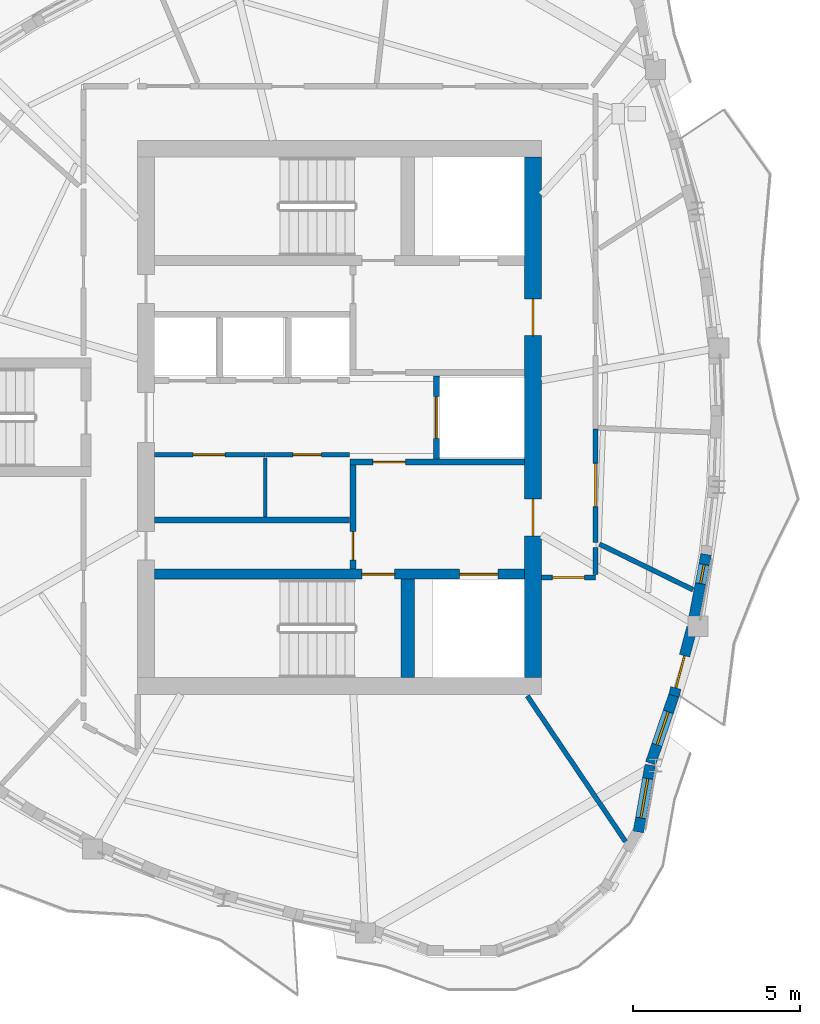
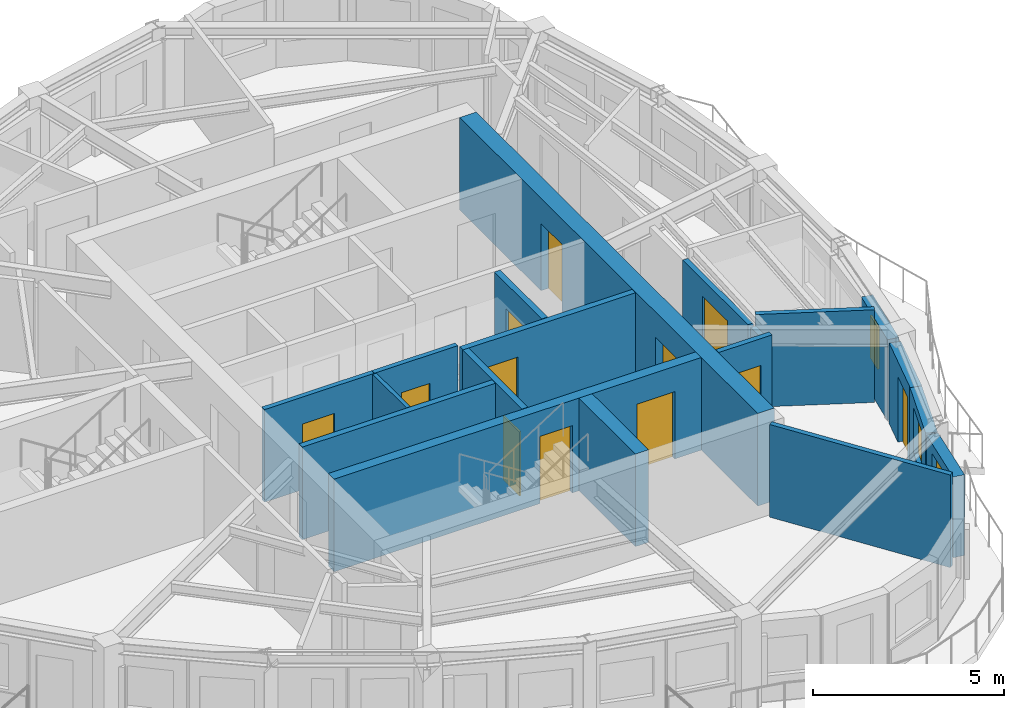
# One storey, part 4 of 12: 19 walls, 12 doors, 3 windows, 15 openings.
"""IFC4 building model written with IfcOpenShell, lengths in metres."""

from ifc_helpers import new_model, si_unit, direction, frame, frame_2d, origin, place, context, subcontext, project, spatial, rectangle, extrude, source, transform, mapped, material, layer, layer_set, type_object, element, fill, save


model = new_model("IFC4")

# Units and contexts
model_context = context("Model", 3, precision=1e-05, world=origin(), true_north=direction((0.0, 1.0)))
body_context = subcontext(model_context, "Body", "Model", "MODEL_VIEW")
ifc_project = project(units=[si_unit("LENGTHUNIT", "METRE"), si_unit("AREAUNIT", "SQUARE_METRE"), si_unit("VOLUMEUNIT", "CUBIC_METRE"), si_unit("PLANEANGLEUNIT", "RADIAN"), si_unit("MASSUNIT", "GRAM", prefix="KILO")], contexts=[model_context])

# Site, building, storey
site_placement = place(None, origin())
site = spatial("IfcSite", under=ifc_project, at=site_placement, CompositionType="ELEMENT")
building_placement = place(site_placement, origin())
building = spatial("IfcBuilding", under=site, at=building_placement, Name="Qafzar Sky-Pleat Residences", CompositionType="ELEMENT")
storey_placement = place(building_placement, frame((0.0, 0.0, 224.39990234375)))
storey = spatial("IfcBuildingStorey", under=building, at=storey_placement, Name="L67", CompositionType="ELEMENT", Elevation=224.39990234375)

# Wall, opening, door
ifc_material_1 = material(Name="Acoustic gypsum plasterboard partition", Category="gypsum")
ifc_layer_1 = layer(ifc_material_1, 0.159912109375)
ifc_layer_set_1 = layer_set([ifc_layer_1], Name="Acoustic gypsum plasterboard partition")
wall_type_1 = type_object("IfcWallType", Name="PART-COR-160", PredefinedType="PARTITIONING", material=ifc_layer_set_1)
wall_1_placement = place(storey_placement, frame((38.02001953125, 25.658935546875, 0.0), z_axis=(0.0, 0.0, 1.0), x_axis=(0.0, -1.0, 0.0)))
wall_1 = element("IfcWall", 1, at=wall_1_placement, inside=storey, type_object=wall_type_1, Name="L67 Partition Wall PART-L67-PW-006", PredefinedType="PARTITIONING", context=body_context, shape_type="SweptSolid", body=[
    extrude(rectangle(XDim=3.413818359375, YDim=0.159912109375, at=frame_2d((1.70703125, 0.0))), origin(), (0.0, 0.0, 1.0), 2.628173828125),
])
opening_1_placement = place(wall_1_placement, frame((1.033447265625, 0.0, 0.0)))
opening_1 = element("IfcOpeningElement", 2, at=opening_1_placement, cuts=wall_1, Name="Opening ID-05", PredefinedType="OPENING", context=body_context, shape_type="SweptSolid", body=[
    extrude(rectangle(XDim=1.300048828125, YDim=2.10009765625, at=frame_2d((0.64990234375, 1.050048828125))), frame((0.0, 0.08984375, 0.0), z_axis=(0.0, -1.0, 0.0), x_axis=(1.0, 0.0, 0.0)), (0.0, 0.0, 1.0), 0.179931640625),
])
ifc_material_2 = material(Name="Timber-faced fire door", Category="wood")
door_type_1 = type_object("IfcDoorType", Name="DR-LNG-1300", OperationType="DOUBLE_DOOR_SINGLE_SWING", PredefinedType="DOOR", material=ifc_material_2)
shared_shape_1 = source(origin(), body_context, "Body", "SweptSolid", [
    extrude(rectangle(XDim=1.300048828125, YDim=2.10009765625, at=frame_2d((0.64990234375, 1.050048828125))), frame((0.0, 0.02490234375, 0.0), z_axis=(0.0, -1.0, 0.0), x_axis=(1.0, 0.0, 0.0)), (0.0, 0.0, 1.0), 0.050048828125),
])
door_1_placement = place(opening_1_placement, origin())
door_1 = element("IfcDoor", 3, at=door_1_placement, inside=storey, type_object=door_type_1, Name="L67 Communal Kitchen Door", OperationType="DOUBLE_DOOR_SINGLE_SWING", OverallHeight=2.10009765625, OverallWidth=1.300048828125, PredefinedType="DOOR", context=body_context, shape_type="MappedRepresentation", body=[
    mapped(shared_shape_1, transform((0.0, 0.0, 0.0), x_axis=(1.0, 0.0, 0.0), y_axis=(0.0, 1.0, 0.0), z_axis=(0.0, 0.0, 1.0), scale=1.0)),
])
fill(opening_1, door_1)

wall_2_placement = place(storey_placement, frame((38.02001953125, 21.199951171875, 0.0), z_axis=(0.0, 0.0, 1.0), x_axis=(-1.0, 0.0, 0.0)))
wall_2 = element("IfcWall", 4, at=wall_2_placement, inside=storey, type_object=wall_type_1, Name="L67 Partition Wall PART-L67-PW-010", PredefinedType="PARTITIONING", context=body_context, shape_type="SweptSolid", body=[
    extrude(rectangle(XDim=1.612060546875, YDim=0.159912109375, at=frame_2d((0.80615234375, 0.0))), origin(), (0.0, 0.0, 1.0), 2.960205078125),
])
opening_2_placement = place(wall_2_placement, frame((0.330078125, 0.0, 0.0)))
opening_2 = element("IfcOpeningElement", 5, at=opening_2_placement, cuts=wall_2, Name="Opening ID-06", PredefinedType="OPENING", context=body_context, shape_type="SweptSolid", body=[
    extrude(rectangle(XDim=0.9599609375, YDim=2.10009765625, at=frame_2d((0.47998046875, 1.050048828125))), frame((0.0, 0.08984375, 0.0), z_axis=(0.0, -1.0, 0.0), x_axis=(1.0, 0.0, 0.0)), (0.0, 0.0, 1.0), 0.179931640625),
])
door_type_2 = type_object("IfcDoorType", Name="DR-STD-960", OperationType="NOTDEFINED", PredefinedType="DOOR", material=ifc_material_2)
shared_shape_2 = source(origin(), body_context, "Body", "SweptSolid", [
    extrude(rectangle(XDim=0.9599609375, YDim=2.10009765625, at=frame_2d((0.47998046875, 1.050048828125))), frame((0.0, 0.02490234375, 0.0), z_axis=(0.0, -1.0, 0.0), x_axis=(1.0, 0.0, 0.0)), (0.0, 0.0, 1.0), 0.050048828125),
])
door_2_placement = place(opening_2_placement, origin())
door_2 = element("IfcDoor", 6, at=door_2_placement, inside=storey, type_object=door_type_2, Name="L67 Quiet Prayer Room Door", OperationType="SINGLE_SWING_RIGHT", OverallHeight=2.10009765625, OverallWidth=0.9599609375, PredefinedType="DOOR", context=body_context, shape_type="MappedRepresentation", body=[
    mapped(shared_shape_2, transform((0.0, 0.0, 0.0), x_axis=(1.0, 0.0, 0.0), y_axis=(0.0, 1.0, 0.0), z_axis=(0.0, 0.0, 1.0), scale=1.0)),
])
fill(opening_2, door_2)

# Wall
wall_3_placement = place(storey_placement, frame((38.02001953125, 21.2880859375, 0.0), z_axis=(0.0, 0.0, 1.0), x_axis=(0.0, 1.0, 0.0)))
element("IfcWall", 7, at=wall_3_placement, inside=storey, type_object=wall_type_1, Name="L67 Partition Wall PART-L67-PW-026", PredefinedType="PARTITIONING", context=body_context, shape_type="SweptSolid", body=[
    extrude(rectangle(XDim=0.814208984375, YDim=0.159912109375, at=frame_2d((0.4072265625, 0.0))), origin(), (0.0, 0.0, 1.0), 2.628173828125),
])

# Wall, opening, door
ifc_material_3 = material(Name="Concrete blockwork partition", Category="masonry")
ifc_layer_2 = layer(ifc_material_3, 0.179931640625)
ifc_layer_set_2 = layer_set([ifc_layer_2], Name="Concrete blockwork partition")
wall_type_2 = type_object("IfcWallType", Name="PART-SHAFT-180", PredefinedType="PARTITIONING", material=ifc_layer_set_2)
wall_4_placement = place(storey_placement, frame((30.75, 21.4599609375, 0.0), z_axis=(0.0, 0.0, 1.0), x_axis=(0.0, 1.0, 0.0)))
wall_4 = element("IfcWall", 8, at=wall_4_placement, inside=storey, type_object=wall_type_2, Name="L67 Partition Wall PART-L67-FFL1-W", PredefinedType="PARTITIONING", context=body_context, shape_type="SweptSolid", body=[
    extrude(rectangle(XDim=3.110107421875, YDim=0.179931640625, at=frame_2d((1.55517578125, 0.0))), origin(), (0.0, 0.0, 1.0), 2.960205078125),
])
opening_3_placement = place(wall_4_placement, frame((0.260009765625, 0.0, 0.0)))
opening_3 = element("IfcOpeningElement", 9, at=opening_3_placement, cuts=wall_4, Name="Opening ID-09", PredefinedType="OPENING", context=body_context, shape_type="SweptSolid", body=[
    extrude(rectangle(XDim=0.860107421875, YDim=2.050048828125, at=frame_2d((0.43017578125, 1.02490234375))), frame((0.0, 0.10009765625, 0.0), z_axis=(0.0, -1.0, 0.0), x_axis=(1.0, 0.0, 0.0)), (0.0, 0.0, 1.0), 0.199951171875),
])
door_type_3 = type_object("IfcDoorType", Name="DR-SVC-860", OperationType="NOTDEFINED", PredefinedType="DOOR", material=ifc_material_2)
shared_shape_3 = source(origin(), body_context, "Body", "SweptSolid", [
    extrude(rectangle(XDim=0.860107421875, YDim=2.050048828125, at=frame_2d((0.43017578125, 1.02490234375))), frame((0.0, 0.02490234375, 0.0), z_axis=(0.0, -1.0, 0.0), x_axis=(1.0, 0.0, 0.0)), (0.0, 0.0, 1.0), 0.050048828125),
])
door_3_placement = place(opening_3_placement, origin())
door_3 = element("IfcDoor", 10, at=door_3_placement, inside=storey, type_object=door_type_3, Name="L67 South Core Cupboard Door", OperationType="SINGLE_SWING_LEFT", OverallHeight=2.050048828125, OverallWidth=0.860107421875, PredefinedType="DOOR", context=body_context, shape_type="MappedRepresentation", body=[
    mapped(shared_shape_3, transform((0.0, 0.0, 0.0), x_axis=(1.0, 0.0, 0.0), y_axis=(0.0, 1.0, 0.0), z_axis=(0.0, 0.0, 1.0), scale=1.0)),
])
fill(opening_3, door_3)

wall_5_placement = place(storey_placement, frame((30.669921875, 24.659912109375, 0.0), z_axis=(0.0, 0.0, 1.0), x_axis=(1.0, 0.0, 0.0)))
wall_5 = element("IfcWall", 11, at=wall_5_placement, inside=storey, type_object=wall_type_2, Name="L67 Partition Wall PART-L67-FFL1-N", PredefinedType="PARTITIONING", context=body_context, shape_type="SweptSolid", body=[
    extrude(rectangle(XDim=5.219970703125, YDim=0.179931640625, at=frame_2d((2.60986328125, 0.0))), origin(), (0.0, 0.0, 1.0), 2.960205078125),
])
opening_4_placement = place(wall_5_placement, frame((0.679931640625, 0.0, 0.0)))
opening_4 = element("IfcOpeningElement", 12, at=opening_4_placement, cuts=wall_5, Name="Opening ID-01", PredefinedType="OPENING", context=body_context, shape_type="SweptSolid", body=[
    extrude(rectangle(XDim=0.97998046875, YDim=2.14990234375, at=frame_2d((0.489990234375, 1.074951171875))), frame((0.0, 0.10009765625, 0.0), z_axis=(0.0, -1.0, 0.0), x_axis=(1.0, 0.0, 0.0)), (0.0, 0.0, 1.0), 0.199951171875),
])
door_type_4 = type_object("IfcDoorType", Name="DR-STAIR-980", OperationType="NOTDEFINED", PredefinedType="DOOR", material=ifc_material_2)
shared_shape_4 = source(origin(), body_context, "Body", "SweptSolid", [
    extrude(rectangle(XDim=0.97998046875, YDim=2.14990234375, at=frame_2d((0.489990234375, 1.074951171875))), frame((0.0, 0.02490234375, 0.0), z_axis=(0.0, -1.0, 0.0), x_axis=(1.0, 0.0, 0.0)), (0.0, 0.0, 1.0), 0.050048828125),
])
door_4_placement = place(opening_4_placement, origin())
door_4 = element("IfcDoor", 13, at=door_4_placement, inside=storey, type_object=door_type_4, Name="L67 Lift Lobby to South Firefighting Lobby Door", OperationType="SINGLE_SWING_RIGHT", OverallHeight=2.14990234375, OverallWidth=0.97998046875, PredefinedType="DOOR", context=body_context, shape_type="MappedRepresentation", body=[
    mapped(shared_shape_4, transform((0.0, 0.0, 0.0), x_axis=(1.0, 0.0, 0.0), y_axis=(0.0, 1.0, 0.0), z_axis=(0.0, 0.0, 1.0), scale=1.0)),
])
fill(opening_4, door_4)

wall_6_placement = place(storey_placement, frame((33.25, 24.760009765625, 0.0), z_axis=(0.0, 0.0, 1.0), x_axis=(0.0, 1.0, 0.0)))
wall_6 = element("IfcWall", 14, at=wall_6_placement, inside=storey, type_object=wall_type_2, Name="L67 Partition Wall PART-L67-SV1-W", PredefinedType="PARTITIONING", context=body_context, shape_type="SweptSolid", body=[
    extrude(rectangle(XDim=2.47998046875, YDim=0.179931640625, at=frame_2d((1.239990234375, 0.0))), origin(), (0.0, 0.0, 1.0), 2.960205078125),
])
opening_5_placement = place(wall_6_placement, frame((0.614990234375, 0.0, 0.0)))
opening_5 = element("IfcOpeningElement", 15, at=opening_5_placement, cuts=wall_6, Name="Opening LD-03", PredefinedType="OPENING", context=body_context, shape_type="SweptSolid", body=[
    extrude(rectangle(XDim=1.25, YDim=2.14990234375, at=frame_2d((0.625, 1.074951171875))), frame((0.0, 0.10009765625, 0.0), z_axis=(0.0, -1.0, 0.0), x_axis=(1.0, 0.0, 0.0)), (0.0, 0.0, 1.0), 0.199951171875),
])
ifc_material_4 = material(Name="Stainless steel sliding landing door", Category="steel")
door_type_5 = type_object("IfcDoorType", Name="DR-LIFT-SV", OperationType="DOUBLE_DOOR_SLIDING", PredefinedType="DOOR", material=ifc_material_4)
shared_shape_5 = source(origin(), body_context, "Body", "SweptSolid", [
    extrude(rectangle(XDim=1.25, YDim=2.14990234375, at=frame_2d((0.625, 1.074951171875))), frame((0.0, 0.02490234375, 0.0), z_axis=(0.0, -1.0, 0.0), x_axis=(1.0, 0.0, 0.0)), (0.0, 0.0, 1.0), 0.050048828125),
])
door_5_placement = place(opening_5_placement, origin())
door_5 = element("IfcDoor", 16, at=door_5_placement, inside=storey, type_object=door_type_5, Name="L67 Service Lift SV1 Landing Door", OperationType="DOUBLE_DOOR_SLIDING", OverallHeight=2.14990234375, OverallWidth=1.25, PredefinedType="DOOR", context=body_context, shape_type="MappedRepresentation", body=[
    mapped(shared_shape_5, transform((0.0, 0.0, 0.0), x_axis=(1.0, 0.0, 0.0), y_axis=(0.0, 1.0, 0.0), z_axis=(0.0, 0.0, 1.0), scale=1.0)),
])
fill(opening_5, door_5)

# Walls
wall_7_placement = place(storey_placement, frame((24.81005859375, 22.919921875, 0.0), z_axis=(0.0, 0.0, 1.0), x_axis=(1.0, 0.0, 0.0)))
element("IfcWall", 17, at=wall_7_placement, inside=storey, type_object=wall_type_2, Name="L67 Partition Wall PART-L67-P13-S", PredefinedType="PARTITIONING", context=body_context, shape_type="SweptSolid", body=[
    extrude(rectangle(XDim=5.83984375, YDim=0.179931640625, at=frame_2d((2.919921875, 0.0))), origin(), (0.0, 0.0, 1.0), 2.960205078125),
])
ifc_material_5 = material(Name="Gypsum plasterboard partition", Category="gypsum")
ifc_layer_3 = layer(ifc_material_5, 0.114990234375)
ifc_layer_set_3 = layer_set([ifc_layer_3], Name="Gypsum plasterboard partition")
wall_type_3 = type_object("IfcWallType", Name="PART-SVC-115", PredefinedType="PARTITIONING", material=ifc_layer_set_3)
wall_8_placement = place(storey_placement, frame((28.125, 23.02001953125, 0.0), z_axis=(0.0, 0.0, 1.0), x_axis=(0.0, 1.0, 0.0)))
element("IfcWall", 18, at=wall_8_placement, inside=storey, type_object=wall_type_3, Name="L67 Partition Wall PART-L67-RECLAIM-DIV", PredefinedType="PARTITIONING", context=body_context, shape_type="SweptSolid", body=[
    extrude(rectangle(XDim=1.77001953125, YDim=0.114990234375, at=frame_2d((0.885009765625, 0.0))), origin(), (0.0, 0.0, 1.0), 2.960205078125),
])

# Wall, opening, door
ifc_layer_4 = layer(ifc_material_1, 0.14501953125)
ifc_layer_set_4 = layer_set([ifc_layer_4], Name="Acoustic gypsum plasterboard partition")
wall_type_4 = type_object("IfcWallType", Name="PART-UNIT-145", PredefinedType="PARTITIONING", material=ifc_layer_set_4)
wall_9_placement = place(storey_placement, frame((24.81005859375, 24.8798828125, 0.0), z_axis=(0.0, 0.0, 1.0), x_axis=(1.0, 0.0, 0.0)))
wall_9 = element("IfcWall", 19, at=wall_9_placement, inside=storey, type_object=wall_type_4, Name="L67 Partition Wall PART-L67-RECLAIM-N1", PredefinedType="PARTITIONING", context=body_context, shape_type="SweptSolid", body=[
    extrude(rectangle(XDim=3.31005859375, YDim=0.14501953125, at=frame_2d((1.655029296875, 0.0))), origin(), (0.0, 0.0, 1.0), 2.960205078125),
])
opening_6_placement = place(wall_9_placement, frame((1.14990234375, 0.0, 0.0)))
opening_6 = element("IfcOpeningElement", 20, at=opening_6_placement, cuts=wall_9, Name="Opening ID-06", PredefinedType="OPENING", context=body_context, shape_type="SweptSolid", body=[
    extrude(rectangle(XDim=0.9599609375, YDim=2.10009765625, at=frame_2d((0.47998046875, 1.050048828125))), frame((0.0, 0.08251953125, 0.0), z_axis=(0.0, -1.0, 0.0), x_axis=(1.0, 0.0, 0.0)), (0.0, 0.0, 1.0), 0.1650390625),
])
door_6_placement = place(opening_6_placement, origin())
door_6 = element("IfcDoor", 21, at=door_6_placement, inside=storey, type_object=door_type_2, Name="L67 Reclaimed Quiet Study Room Door", OperationType="SINGLE_SWING_LEFT", OverallHeight=2.10009765625, OverallWidth=0.9599609375, PredefinedType="DOOR", context=body_context, shape_type="MappedRepresentation", body=[
    mapped(shared_shape_2, transform((0.0, 0.0, 0.0), x_axis=(1.0, 0.0, 0.0), y_axis=(0.0, 1.0, 0.0), z_axis=(0.0, 0.0, 1.0), scale=1.0)),
])
fill(opening_6, door_6)

wall_10_placement = place(storey_placement, frame((28.1298828125, 24.8798828125, 0.0), z_axis=(0.0, 0.0, 1.0), x_axis=(1.0, 0.0, 0.0)))
wall_10 = element("IfcWall", 22, at=wall_10_placement, inside=storey, type_object=wall_type_4, Name="L67 Partition Wall PART-L67-RECLAIM-N2", PredefinedType="PARTITIONING", context=body_context, shape_type="SweptSolid", body=[
    extrude(rectangle(XDim=2.52001953125, YDim=0.14501953125, at=frame_2d((1.260009765625, 0.0))), origin(), (0.0, 0.0, 1.0), 2.960205078125),
])
opening_7_placement = place(wall_10_placement, frame((0.820068359375, 0.0, 0.0)))
opening_7 = element("IfcOpeningElement", 23, at=opening_7_placement, cuts=wall_10, Name="Opening ID-09", PredefinedType="OPENING", context=body_context, shape_type="SweptSolid", body=[
    extrude(rectangle(XDim=0.860107421875, YDim=2.050048828125, at=frame_2d((0.43017578125, 1.02490234375))), frame((0.0, 0.08251953125, 0.0), z_axis=(0.0, -1.0, 0.0), x_axis=(1.0, 0.0, 0.0)), (0.0, 0.0, 1.0), 0.1650390625),
])
door_7_placement = place(opening_7_placement, origin())
door_7 = element("IfcDoor", 24, at=door_7_placement, inside=storey, type_object=door_type_3, Name="L67 Reclaimed Linen Cupboard Door", OperationType="SINGLE_SWING_RIGHT", OverallHeight=2.050048828125, OverallWidth=0.860107421875, PredefinedType="DOOR", context=body_context, shape_type="MappedRepresentation", body=[
    mapped(shared_shape_3, transform((0.0, 0.0, 0.0), x_axis=(1.0, 0.0, 0.0), y_axis=(0.0, 1.0, 0.0), z_axis=(0.0, 0.0, 1.0), scale=1.0)),
])
fill(opening_7, door_7)

# Walls
wall_11_placement = place(storey_placement, frame((35.978759765625, 17.65283203125, 0.0), z_axis=(0.0, 0.0, 1.0), x_axis=(0.559125350393, -0.829083133677, 0.0)))
element("IfcWall", 25, at=wall_11_placement, inside=storey, type_object=wall_type_4, Name="L67 Partition Wall PART-L67-PW-013", PredefinedType="PARTITIONING", context=body_context, shape_type="SweptSolid", body=[
    extrude(rectangle(XDim=5.26171875, YDim=0.14501953125, at=frame_2d((2.630859375, 0.0))), origin(), (0.0, 0.0, 1.0), 2.960205078125),
])
wall_12_placement = place(storey_placement, frame((38.138916015625, 22.2041015625, 0.0), z_axis=(0.0, 0.0, 1.0), x_axis=(0.898869860356, -0.43821567081, 0.0)))
element("IfcWall", 26, at=wall_12_placement, inside=storey, type_object=wall_type_4, Name="L67 Partition Wall PART-L67-PW-018", PredefinedType="PARTITIONING", context=body_context, shape_type="SweptSolid", body=[
    extrude(rectangle(XDim=3.122802734375, YDim=0.14501953125, at=frame_2d((1.5615234375, 0.0))), origin(), (0.0, 0.0, 1.0), 2.960205078125),
])

# Wall, opening, window
ifc_material_6 = material(Name="Precast concrete C40/50 with honed Riyadh limestone", Category="concrete")
ifc_layer_5 = layer(ifc_material_6, 0.320068359375)
ifc_layer_set_5 = layer_set([ifc_layer_5], Name="Precast concrete C40/50 with honed Riyadh limestone")
wall_type_5 = type_object("IfcWallType", Name="WALL-EXT-320", PredefinedType="SOLIDWALL", material=ifc_layer_set_5)
wall_13_placement = place(storey_placement, frame((39.30859375, 13.575439453125, 0.0), z_axis=(0.0, 0.0, 1.0), x_axis=(0.17370309897, 0.984798067326, 0.0)))
wall_13 = element("IfcWall", 27, at=wall_13_placement, inside=storey, type_object=wall_type_5, Name="L67 Limestone Facade Wall 22", PredefinedType="SOLIDWALL", context=body_context, shape_type="SweptSolid", body=[
    extrude(rectangle(XDim=2.032470703125, YDim=0.320068359375, at=frame_2d((1.01611328125, 0.0))), origin(), (0.0, 0.0, 1.0), 2.580078125),
])
opening_8_placement = place(wall_13_placement, frame((0.42626953125, 0.0, 0.820068359375)))
opening_8 = element("IfcOpeningElement", 28, at=opening_8_placement, cuts=wall_13, Name="Opening WN-05", PredefinedType="OPENING", context=body_context, shape_type="SweptSolid", body=[
    extrude(rectangle(XDim=1.199951171875, YDim=1.449951171875, at=frame_2d((0.60009765625, 0.72509765625))), frame((0.0, 0.169921875, 0.0), z_axis=(0.0, -1.0, 0.0), x_axis=(1.0, 0.0, 0.0)), (0.0, 0.0, 1.0), 0.340087890625),
])
ifc_material_7 = material(Name="Solar-control low-E glass in bronze aluminium frame", Category="glass")
window_type_1 = type_object("IfcWindowType", Name="WIN-05", PartitioningType="SINGLE_PANEL", PredefinedType="WINDOW", material=ifc_material_7)
shared_shape_6 = source(origin(), body_context, "Body", "SweptSolid", [
    extrude(rectangle(XDim=1.199951171875, YDim=1.449951171875, at=frame_2d((0.60009765625, 0.72509765625))), frame((0.0, 0.030029296875, 0.0), z_axis=(0.0, -1.0, 0.0), x_axis=(1.0, 0.0, 0.0)), (0.0, 0.0, 1.0), 0.06005859375),
])
window_1_placement = place(opening_8_placement, origin())
window_1 = element("IfcWindow", 29, at=window_1_placement, inside=storey, type_object=window_type_1, Name="L67 Punched Facade Window 22", OverallHeight=1.449951171875, OverallWidth=1.199951171875, PartitioningType="SINGLE_PANEL", PredefinedType="WINDOW", context=body_context, shape_type="MappedRepresentation", body=[
    mapped(shared_shape_6, transform((0.0, 0.0, 0.0), x_axis=(1.0, 0.0, 0.0), y_axis=(0.0, 1.0, 0.0), z_axis=(0.0, 0.0, 1.0), scale=1.0)),
])
fill(opening_8, window_1)

wall_14_placement = place(storey_placement, frame((39.677490234375, 15.639404296875, 0.0), z_axis=(0.0, 0.0, 1.0), x_axis=(0.323664392341, 0.946171951143, 0.0)))
wall_14 = element("IfcWall", 30, at=wall_14_placement, inside=storey, type_object=wall_type_5, Name="L67 Limestone Facade Wall 23", PredefinedType="SOLIDWALL", context=body_context, shape_type="SweptSolid", body=[
    extrude(rectangle(XDim=2.222900390625, YDim=0.320068359375, at=frame_2d((1.111328125, 0.0))), origin(), (0.0, 0.0, 1.0), 2.580078125),
])
opening_9_placement = place(wall_14_placement, frame((0.576416015625, 0.0, 0.820068359375)))
opening_9 = element("IfcOpeningElement", 31, at=opening_9_placement, cuts=wall_14, Name="Opening WN-06", PredefinedType="OPENING", context=body_context, shape_type="SweptSolid", body=[
    extrude(rectangle(XDim=1.050048828125, YDim=1.449951171875, at=frame_2d((0.52490234375, 0.72509765625))), frame((0.0, 0.169921875, 0.0), z_axis=(0.0, -1.0, 0.0), x_axis=(1.0, 0.0, 0.0)), (0.0, 0.0, 1.0), 0.340087890625),
])
window_type_2 = type_object("IfcWindowType", Name="WIN-06", PartitioningType="SINGLE_PANEL", PredefinedType="WINDOW", material=ifc_material_7)
shared_shape_7 = source(origin(), body_context, "Body", "SweptSolid", [
    extrude(rectangle(XDim=1.050048828125, YDim=1.449951171875, at=frame_2d((0.52490234375, 0.72509765625))), frame((0.0, 0.030029296875, 0.0), z_axis=(0.0, -1.0, 0.0), x_axis=(1.0, 0.0, 0.0)), (0.0, 0.0, 1.0), 0.06005859375),
])
window_2_placement = place(opening_9_placement, origin())
window_2 = element("IfcWindow", 32, at=window_2_placement, inside=storey, type_object=window_type_2, Name="L67 Punched Facade Window 23", OverallHeight=1.449951171875, OverallWidth=1.050048828125, PartitioningType="SINGLE_PANEL", PredefinedType="WINDOW", context=body_context, shape_type="MappedRepresentation", body=[
    mapped(shared_shape_7, transform((0.0, 0.0, 0.0), x_axis=(1.0, 0.0, 0.0), y_axis=(0.0, 1.0, 0.0), z_axis=(0.0, 0.0, 1.0), scale=1.0)),
])
fill(opening_9, window_2)

# Wall, opening, door
wall_15_placement = place(storey_placement, frame((40.37158203125, 17.659423828125, 0.0), z_axis=(0.0, 0.0, 1.0), x_axis=(0.2570422776, 0.966400159109, 0.0)))
wall_15 = element("IfcWall", 33, at=wall_15_placement, inside=storey, type_object=wall_type_5, Name="L67 Limestone Facade Wall 24", PredefinedType="SOLIDWALL", context=body_context, shape_type="SweptSolid", body=[
    extrude(rectangle(XDim=2.106689453125, YDim=0.320068359375, at=frame_2d((1.05322265625, 0.0))), origin(), (0.0, 0.0, 1.0), 2.580078125),
])
opening_10_placement = place(wall_15_placement, frame((0.239990234375, 0.0, 0.0)))
opening_10 = element("IfcOpeningElement", 34, at=opening_10_placement, cuts=wall_15, Name="Opening ED-05", PredefinedType="OPENING", context=body_context, shape_type="SweptSolid", body=[
    extrude(rectangle(XDim=1.0, YDim=2.10009765625, at=frame_2d((0.5, 1.050048828125))), frame((0.0, 0.169921875, 0.0), z_axis=(0.0, -1.0, 0.0), x_axis=(1.0, 0.0, 0.0)), (0.0, 0.0, 1.0), 0.340087890625),
])
ifc_material_8 = material(Name="Glazed bronze aluminium door", Category="aluminium")
door_type_6 = type_object("IfcDoorType", Name="DR-BAL-1000", OperationType="NOTDEFINED", PredefinedType="DOOR", material=ifc_material_8)
shared_shape_8 = source(origin(), body_context, "Body", "SweptSolid", [
    extrude(rectangle(XDim=1.0, YDim=2.10009765625, at=frame_2d((0.5, 1.050048828125))), frame((0.0, 0.02490234375, 0.0), z_axis=(0.0, -1.0, 0.0), x_axis=(1.0, 0.0, 0.0)), (0.0, 0.0, 1.0), 0.050048828125),
])
door_8_placement = place(opening_10_placement, origin())
door_8 = element("IfcDoor", 35, at=door_8_placement, inside=storey, type_object=door_type_6, Name="L67 Glazed Balcony Door 1", OperationType="SINGLE_SWING_LEFT", OverallHeight=2.10009765625, OverallWidth=1.0, PredefinedType="DOOR", context=body_context, shape_type="MappedRepresentation", body=[
    mapped(shared_shape_8, transform((0.0, 0.0, 0.0), x_axis=(1.0, 0.0, 0.0), y_axis=(0.0, 1.0, 0.0), z_axis=(0.0, 0.0, 1.0), scale=1.0)),
])
fill(opening_10, door_8)

# Wall, opening, window
wall_16_placement = place(storey_placement, frame((40.950439453125, 19.859619140625, 0.0), z_axis=(0.0, 0.0, 1.0), x_axis=(0.18667884524, 0.982420993638, 0.0)))
wall_16 = element("IfcWall", 36, at=wall_16_placement, inside=storey, type_object=wall_type_5, Name="L67 Limestone Facade Wall 25", PredefinedType="SOLIDWALL", context=body_context, shape_type="SweptSolid", body=[
    extrude(rectangle(XDim=2.071533203125, YDim=0.320068359375, at=frame_2d((1.03564453125, 0.0))), origin(), (0.0, 0.0, 1.0), 2.580078125),
])
opening_11_placement = place(wall_16_placement, frame((1.179931640625, 0.0, 0.820068359375)))
opening_11 = element("IfcOpeningElement", 37, at=opening_11_placement, cuts=wall_16, Name="Opening WN-17", PredefinedType="OPENING", context=body_context, shape_type="SweptSolid", body=[
    extrude(rectangle(XDim=0.580078125, YDim=1.35009765625, at=frame_2d((0.2900390625, 0.675048828125))), frame((0.0, 0.169921875, 0.0), z_axis=(0.0, -1.0, 0.0), x_axis=(1.0, 0.0, 0.0)), (0.0, 0.0, 1.0), 0.340087890625),
])
window_type_3 = type_object("IfcWindowType", Name="WIN-17", PartitioningType="SINGLE_PANEL", PredefinedType="WINDOW", material=ifc_material_7)
shared_shape_9 = source(origin(), body_context, "Body", "SweptSolid", [
    extrude(rectangle(XDim=0.580078125, YDim=1.35009765625, at=frame_2d((0.2900390625, 0.675048828125))), frame((0.0, 0.030029296875, 0.0), z_axis=(0.0, -1.0, 0.0), x_axis=(1.0, 0.0, 0.0)), (0.0, 0.0, 1.0), 0.06005859375),
])
window_3_placement = place(opening_11_placement, origin())
window_3 = element("IfcWindow", 38, at=window_3_placement, inside=storey, type_object=window_type_3, Name="L67 Punched Facade Window 25-2", OverallHeight=1.35009765625, OverallWidth=0.580078125, PartitioningType="SINGLE_PANEL", PredefinedType="WINDOW", context=body_context, shape_type="MappedRepresentation", body=[
    mapped(shared_shape_9, transform((0.0, 0.0, 0.0), x_axis=(1.0, 0.0, 0.0), y_axis=(0.0, 1.0, 0.0), z_axis=(0.0, 0.0, 1.0), scale=1.0)),
])
fill(opening_11, window_3)

# Wall, openings, doors
ifc_material_9 = material(Name="Concrete C60/75", Category="concrete")
ifc_layer_6 = layer(ifc_material_9, 0.300048828125)
ifc_layer_set_6 = layer_set([ifc_layer_6], Name="Concrete C60/75")
wall_type_6 = type_object("IfcWallType", Name="WALL-SHEAR-300", PredefinedType="SHEAR", material=ifc_layer_set_6)
wall_17_placement = place(storey_placement, frame((24.800048828125, 21.300048828125, 0.0), z_axis=(0.0, 0.0, 1.0), x_axis=(1.0, 0.0, 0.0)))
wall_17 = element("IfcWall", 39, at=wall_17_placement, inside=storey, type_object=wall_type_6, Name="L67 Stair ST1 and FF1 Shaft North Wall", PredefinedType="SHEAR", context=body_context, shape_type="SweptSolid", body=[
    extrude(rectangle(XDim=11.099853515625, YDim=0.300048828125, at=frame_2d((5.5498046875, 0.0))), origin(), (0.0, 0.0, 1.0), 2.960205078125),
])
opening_12_placement = place(wall_17_placement, frame((6.219970703125, 0.0, 0.0)))
opening_12 = element("IfcOpeningElement", 40, at=opening_12_placement, cuts=wall_17, Name="Opening ID-01", PredefinedType="OPENING", context=body_context, shape_type="SweptSolid", body=[
    extrude(rectangle(XDim=0.97998046875, YDim=2.14990234375, at=frame_2d((0.489990234375, 1.074951171875))), frame((0.0, 0.16015625, 0.0), z_axis=(0.0, -1.0, 0.0), x_axis=(1.0, 0.0, 0.0)), (0.0, 0.0, 1.0), 0.320068359375),
])
opening_13_placement = place(wall_17_placement, frame((9.14990234375, 0.0, 0.0)))
opening_13 = element("IfcOpeningElement", 41, at=opening_13_placement, cuts=wall_17, Name="Opening LD-02", PredefinedType="OPENING", context=body_context, shape_type="SweptSolid", body=[
    extrude(rectangle(XDim=1.14990234375, YDim=2.14990234375, at=frame_2d((0.574951171875, 1.074951171875))), frame((0.0, 0.16015625, 0.0), z_axis=(0.0, -1.0, 0.0), x_axis=(1.0, 0.0, 0.0)), (0.0, 0.0, 1.0), 0.320068359375),
])
door_9_placement = place(opening_12_placement, origin())
door_9 = element("IfcDoor", 42, at=door_9_placement, inside=storey, type_object=door_type_4, Name="L67 Stair ST1 Fire Door", OperationType="SINGLE_SWING_RIGHT", OverallHeight=2.14990234375, OverallWidth=0.97998046875, PredefinedType="DOOR", context=body_context, shape_type="MappedRepresentation", body=[
    mapped(shared_shape_4, transform((0.0, 0.0, 0.0), x_axis=(1.0, 0.0, 0.0), y_axis=(0.0, 1.0, 0.0), z_axis=(0.0, 0.0, 1.0), scale=1.0)),
])
fill(opening_12, door_9)
door_type_7 = type_object("IfcDoorType", Name="DR-LIFT-FF", OperationType="DOUBLE_DOOR_SLIDING", PredefinedType="DOOR", material=ifc_material_4)
shared_shape_10 = source(origin(), body_context, "Body", "SweptSolid", [
    extrude(rectangle(XDim=1.14990234375, YDim=2.14990234375, at=frame_2d((0.574951171875, 1.074951171875))), frame((0.0, 0.02490234375, 0.0), z_axis=(0.0, -1.0, 0.0), x_axis=(1.0, 0.0, 0.0)), (0.0, 0.0, 1.0), 0.050048828125),
])
door_10_placement = place(opening_13_placement, origin())
door_10 = element("IfcDoor", 43, at=door_10_placement, inside=storey, type_object=door_type_7, Name="L67 Firefighting Lift FF1 Landing Door", OperationType="DOUBLE_DOOR_SLIDING", OverallHeight=2.14990234375, OverallWidth=1.14990234375, PredefinedType="DOOR", context=body_context, shape_type="MappedRepresentation", body=[
    mapped(shared_shape_10, transform((0.0, 0.0, 0.0), x_axis=(1.0, 0.0, 0.0), y_axis=(0.0, 1.0, 0.0), z_axis=(0.0, 0.0, 1.0), scale=1.0)),
])
fill(opening_13, door_10)

# Wall
ifc_layer_7 = layer(ifc_material_9, 0.39990234375)
ifc_layer_set_7 = layer_set([ifc_layer_7], Name="Concrete C60/75")
wall_type_7 = type_object("IfcWallType", Name="WALL-SHEAR-400", PredefinedType="SHEAR", material=ifc_layer_set_7)
wall_18_placement = place(storey_placement, frame((32.39990234375, 18.199951171875, 0.0), z_axis=(0.0, 0.0, 1.0), x_axis=(0.0, 1.0, 0.0)))
element("IfcWall", 44, at=wall_18_placement, inside=storey, type_object=wall_type_7, Name="L67 Stair ST1 East Dividing Wall", PredefinedType="SHEAR", context=body_context, shape_type="SweptSolid", body=[
    extrude(rectangle(XDim=2.949951171875, YDim=0.39990234375, at=frame_2d((1.47509765625, 0.0))), origin(), (0.0, 0.0, 1.0), 2.960205078125),
])

# Wall, openings, doors
ifc_layer_8 = layer(ifc_material_9, 0.5)
ifc_layer_set_8 = layer_set([ifc_layer_8], Name="Concrete C60/75")
wall_type_8 = type_object("IfcWallType", Name="WALL-SHEAR-500", PredefinedType="SHEAR", material=ifc_layer_set_8)
wall_19_placement = place(storey_placement, frame((36.14990234375, 18.199951171875, 0.0), z_axis=(0.0, 0.0, 1.0), x_axis=(0.0, 1.0, 0.0)))
wall_19 = element("IfcWall", 45, at=wall_19_placement, inside=storey, type_object=wall_type_8, Name="L67 CORE wall E", PredefinedType="SHEAR", context=body_context, shape_type="SweptSolid", body=[
    extrude(rectangle(XDim=15.60009765625, YDim=0.5, at=frame_2d((7.800048828125, 0.0))), origin(), (0.0, 0.0, 1.0), 2.960205078125),
])
opening_14_placement = place(wall_19_placement, frame((4.25, 0.0, 0.0)))
opening_14 = element("IfcOpeningElement", 46, at=opening_14_placement, cuts=wall_19, Name="Opening ID-02", PredefinedType="OPENING", context=body_context, shape_type="SweptSolid", body=[
    extrude(rectangle(XDim=1.10009765625, YDim=2.14990234375, at=frame_2d((0.550048828125, 1.074951171875))), frame((0.0, 0.260009765625, 0.0), z_axis=(0.0, -1.0, 0.0), x_axis=(1.0, 0.0, 0.0)), (0.0, 0.0, 1.0), 0.52001953125),
])
opening_15_placement = place(wall_19_placement, frame((10.25, 0.0, 0.0)))
opening_15 = element("IfcOpeningElement", 47, at=opening_15_placement, cuts=wall_19, Name="Opening ID-02", PredefinedType="OPENING", context=body_context, shape_type="SweptSolid", body=[
    extrude(rectangle(XDim=1.10009765625, YDim=2.14990234375, at=frame_2d((0.550048828125, 1.074951171875))), frame((0.0, 0.260009765625, 0.0), z_axis=(0.0, -1.0, 0.0), x_axis=(1.0, 0.0, 0.0)), (0.0, 0.0, 1.0), 0.52001953125),
])
door_type_8 = type_object("IfcDoorType", Name="DR-FFL-1100", OperationType="NOTDEFINED", PredefinedType="DOOR", material=ifc_material_2)
shared_shape_11 = source(origin(), body_context, "Body", "SweptSolid", [
    extrude(rectangle(XDim=1.10009765625, YDim=2.14990234375, at=frame_2d((0.550048828125, 1.074951171875))), frame((0.0, 0.02490234375, 0.0), z_axis=(0.0, -1.0, 0.0), x_axis=(1.0, 0.0, 0.0)), (0.0, 0.0, 1.0), 0.050048828125),
])
door_11_placement = place(opening_14_placement, origin())
door_11 = element("IfcDoor", 48, at=door_11_placement, inside=storey, type_object=door_type_8, Name="L67 Firefighting Lobby South Corridor Door", OperationType="SINGLE_SWING_LEFT", OverallHeight=2.14990234375, OverallWidth=1.10009765625, PredefinedType="DOOR", context=body_context, shape_type="MappedRepresentation", body=[
    mapped(shared_shape_11, transform((0.0, 0.0, 0.0), x_axis=(1.0, 0.0, 0.0), y_axis=(0.0, 1.0, 0.0), z_axis=(0.0, 0.0, 1.0), scale=1.0)),
])
fill(opening_14, door_11)
door_12_placement = place(opening_15_placement, origin())
door_12 = element("IfcDoor", 49, at=door_12_placement, inside=storey, type_object=door_type_8, Name="L67 Firefighting Lobby North Corridor Door", OperationType="SINGLE_SWING_RIGHT", OverallHeight=2.14990234375, OverallWidth=1.10009765625, PredefinedType="DOOR", context=body_context, shape_type="MappedRepresentation", body=[
    mapped(shared_shape_11, transform((0.0, 0.0, 0.0), x_axis=(1.0, 0.0, 0.0), y_axis=(0.0, 1.0, 0.0), z_axis=(0.0, 0.0, 1.0), scale=1.0)),
])
fill(opening_15, door_12)

save(model, "model.ifc")
